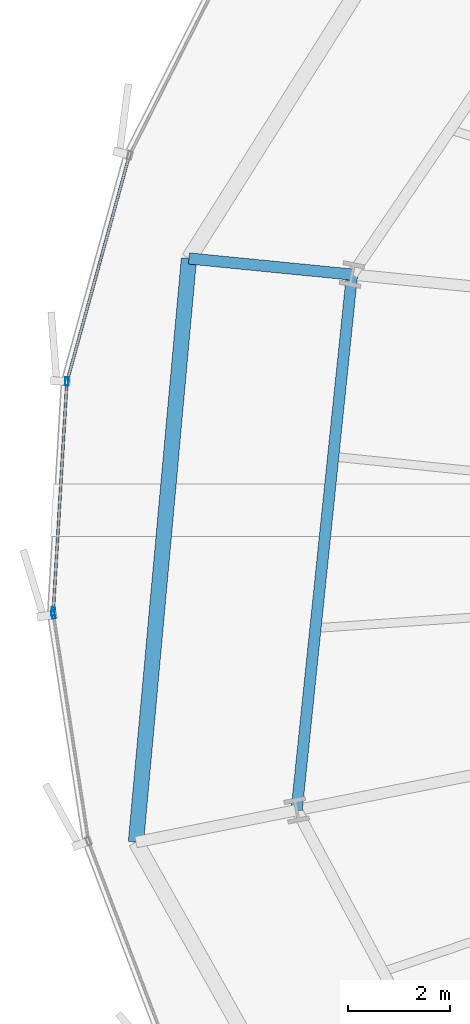
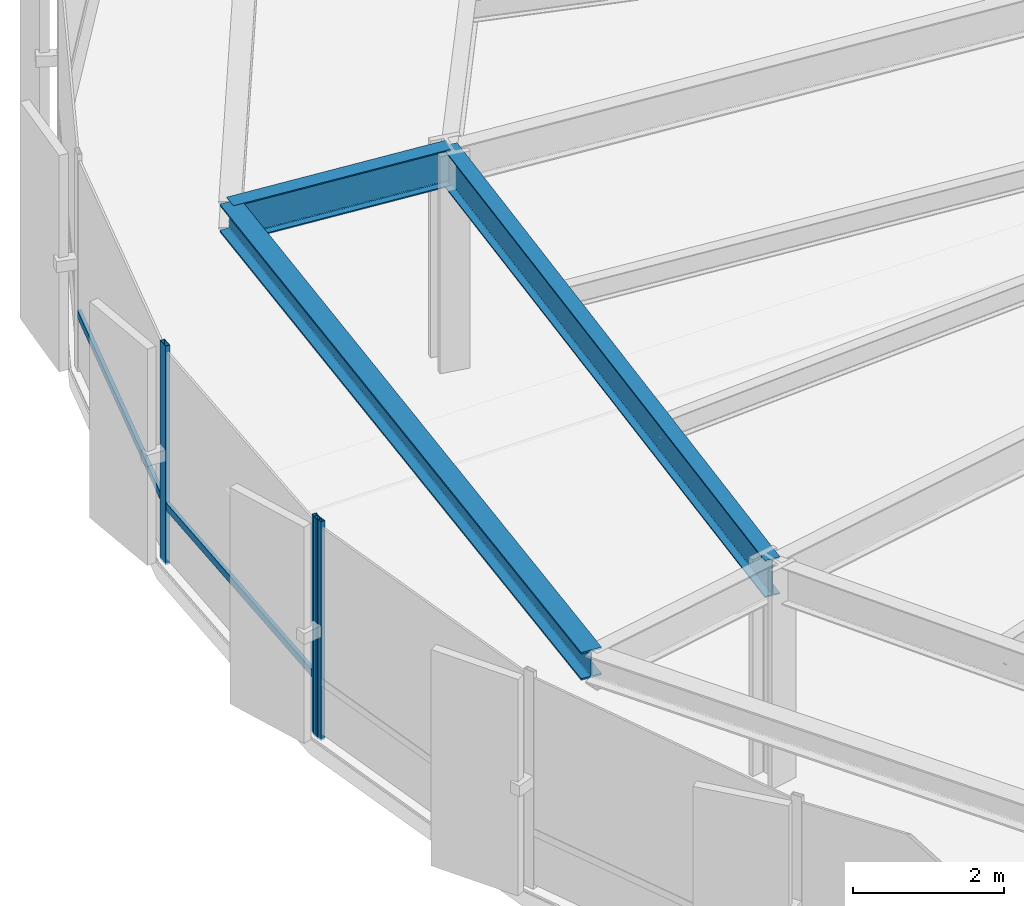
# One storey, part 9 of 39: 5 members, 3 beams, 2 elements without a shape of their own.
"""IFC4 building model written with IfcOpenShell, lengths in metres."""

import ifcopenshell
import ifcopenshell.guid

model = None  # the IFC model being written
_history = None  # IfcOwnerHistory: only IFC2X3 demands one
_inside = {}  # id of a spatial element -> (the spatial element, [elements in it])
_under = {}  # id of a project, library or spatial element -> (it, [spatial elements below it])
_declared = {}  # id of a project -> (the project, [libraries it declares])
_typed = {}  # id of a type object -> (the type object, [elements of that type])
_made_of = {}  # id of a material, layer set ... -> (it, [elements and type objects made of it])


def new_model(schema):
    """Start an empty IFC model of exactly this schema.

    Asked for "IFC4X3", IfcOpenShell would pick the latest addendum, in which some entities
    have other attributes; the version numbers below select the first issue.
    IFC2X3 requires an IfcOwnerHistory on every rooted entity: one is made here for all.
    """
    global model, _history
    if schema == "IFC4X3":
        model = ifcopenshell.file(schema_version=(4, 3, 0, 0))
    else:
        model = ifcopenshell.file(schema=schema)
    _inside.clear()
    _under.clear()
    _declared.clear()
    _typed.clear()
    _made_of.clear()
    _history = None
    if model.schema == "IFC2X3":
        org = make("IfcOrganization", Name="unknown")
        user = make(
            "IfcPersonAndOrganization",
            ThePerson=make("IfcPerson", FamilyName="unknown"),
            TheOrganization=org,
        )
        app = make(
            "IfcApplication",
            ApplicationDeveloper=org,
            Version="unknown",
            ApplicationFullName="unknown",
            ApplicationIdentifier="unknown",
        )
        _history = make(
            "IfcOwnerHistory",
            OwningUser=user,
            OwningApplication=app,
            ChangeAction="ADDED",
            CreationDate=0,
        )
    return model


def make(cls, **values):
    """One entity of the class cls with the attributes given. An attribute that is None is left unset."""
    return model.create_entity(
        cls, **{name: value for name, value in values.items() if value is not None}
    )


def rooted(cls, **values):
    """An entity with a GlobalId (a new one), such as an element, a storey or a relation."""
    return make(cls, GlobalId=ifcopenshell.guid.new(), OwnerHistory=_history, **values)


def si_unit(unit_type, name, prefix=None):
    """IfcSIUnit, for example si_unit("LENGTHUNIT", "METRE", prefix="MILLI")."""
    return make("IfcSIUnit", UnitType=unit_type, Prefix=prefix, Name=name)


def assignment(units):
    """IfcUnitAssignment: the units of a project."""
    return None if units is None else make("IfcUnitAssignment", Units=units)


def point(xyz):
    """IfcCartesianPoint."""
    return None if xyz is None else make("IfcCartesianPoint", Coordinates=xyz)


def direction(xyz):
    """IfcDirection."""
    return None if xyz is None else make("IfcDirection", DirectionRatios=xyz)


def frame(location, z_axis=None, x_axis=None):
    """IfcAxis2Placement3D, a coordinate frame: its origin and axes. An axis left out is left unset."""
    return make(
        "IfcAxis2Placement3D",
        Location=point(location),
        Axis=direction(z_axis),
        RefDirection=direction(x_axis),
    )


def frame_2d(location, x_axis=None):
    """IfcAxis2Placement2D, a coordinate frame in the plane: its origin and x axis."""
    return make(
        "IfcAxis2Placement2D", Location=point(location), RefDirection=direction(x_axis)
    )


def origin():
    """The frame at (0, 0, 0) with its axes left unset."""
    return frame((0.0, 0.0, 0.0))


def origin_2d():
    """The frame at (0, 0) in the plane with its x axis left unset."""
    return frame_2d((0.0, 0.0))


def place(relative_to, where):
    """IfcLocalPlacement: puts the frame where relative to a parent placement (None: the world)."""
    return make(
        "IfcLocalPlacement", PlacementRelTo=relative_to, RelativePlacement=where
    )


def context(
    kind, dimensions, precision=None, world=None, true_north=None, identifier=None
):
    """IfcGeometricRepresentationContext, for example the 3D "Model" context."""
    return make(
        "IfcGeometricRepresentationContext",
        ContextIdentifier=identifier,
        ContextType=kind,
        CoordinateSpaceDimension=dimensions,
        Precision=precision,
        WorldCoordinateSystem=world,
        TrueNorth=true_north,
    )


def subcontext(parent, identifier, kind, view, scale=None):
    """IfcGeometricRepresentationSubContext, for example "Body" below "Model"."""
    return make(
        "IfcGeometricRepresentationSubContext",
        ContextIdentifier=identifier,
        ContextType=kind,
        ParentContext=parent,
        TargetScale=scale,
        TargetView=view,
    )


def project(units=None, contexts=None):
    """IfcProject with its units and contexts."""
    return rooted(
        "IfcProject",
        Name="project",
        RepresentationContexts=contexts,
        UnitsInContext=assignment(units),
    )


def spatial(cls, under=None, at=None, **own):
    """A site, building, storey or space (cls), placed at a placement, below another one or the project."""
    s = rooted(cls, ObjectPlacement=at, **own)
    if under is not None:
        _under.setdefault(under.id(), (under, []))[1].append(s)
    return s


def profile(cls, at=None, kind="AREA", **sizes):
    """A parametric profile (cls). Its sizes go by their IFC names, for example OverallWidth=200.0."""
    return make(cls, ProfileType=kind, Position=at, **sizes)


def hollow_rectangle(**sizes):
    """IfcRectangleHollowProfileDef."""
    return profile("IfcRectangleHollowProfileDef", **sizes)


def i_section(**sizes):
    """IfcIShapeProfileDef."""
    return profile("IfcIShapeProfileDef", **sizes)


def extrude(swept, where, along, depth):
    """IfcExtrudedAreaSolid: the profile swept, set in the frame where, extruded along a direction by depth."""
    return make(
        "IfcExtrudedAreaSolid",
        SweptArea=swept,
        Position=where,
        ExtrudedDirection=direction(along),
        Depth=depth,
    )


def shape(context_of_items, identifier, shape_type, items):
    """IfcShapeRepresentation: the items that make up one representation, for example the "Body"."""
    return make(
        "IfcShapeRepresentation",
        ContextOfItems=context_of_items,
        RepresentationIdentifier=identifier,
        RepresentationType=shape_type,
        Items=items,
    )


def source(mapping_origin, context_of_items, identifier, shape_type, items):
    """IfcRepresentationMap: a shape defined once, which mapped items show again and again."""
    return make(
        "IfcRepresentationMap",
        MappingOrigin=mapping_origin,
        MappedRepresentation=shape(context_of_items, identifier, shape_type, items),
    )


def transform(
    local_origin,
    x_axis=None,
    y_axis=None,
    z_axis=None,
    scale=None,
    scale2=None,
    scale3=None,
    uniform=True,
):
    """IfcCartesianTransformationOperator3D, or its non-uniform kind. x_axis, y_axis, z_axis: its Axis1, 2, 3."""
    if uniform:
        return make(
            "IfcCartesianTransformationOperator3D",
            Axis1=direction(x_axis),
            Axis2=direction(y_axis),
            LocalOrigin=point(local_origin),
            Scale=scale,
            Axis3=direction(z_axis),
        )
    return make(
        "IfcCartesianTransformationOperator3DnonUniform",
        Axis1=direction(x_axis),
        Axis2=direction(y_axis),
        LocalOrigin=point(local_origin),
        Scale=scale,
        Axis3=direction(z_axis),
        Scale2=scale2,
        Scale3=scale3,
    )


def mapped(mapping_source, mapping_target):
    """IfcMappedItem: shows the shape of a source again, moved by a transform."""
    return make(
        "IfcMappedItem", MappingSource=mapping_source, MappingTarget=mapping_target
    )


def material(Name=None, Category=None):
    """IfcMaterial."""
    return make("IfcMaterial", Name=Name, Category=Category)


def layer(
    of_material, thickness, ventilated=None, Name=None, Category=None, Priority=None
):
    """IfcMaterialLayer: one layer of a wall or slab, of a material (None: an air gap)."""
    return make(
        "IfcMaterialLayer",
        Material=of_material,
        LayerThickness=thickness,
        IsVentilated=ventilated,
        Name=Name,
        Category=Category,
        Priority=Priority,
    )


def layer_set(layers, Name=None):
    """IfcMaterialLayerSet."""
    return make("IfcMaterialLayerSet", MaterialLayers=layers, LayerSetName=Name)


def material_profile(
    of_material, cross_section, Name=None, Category=None, Priority=None
):
    """IfcMaterialProfile: a cross section and its material."""
    return make(
        "IfcMaterialProfile",
        Name=Name,
        Material=of_material,
        Profile=cross_section,
        Priority=Priority,
        Category=Category,
    )


def profile_set(profiles, Name=None, composite=None):
    """IfcMaterialProfileSet."""
    return make(
        "IfcMaterialProfileSet",
        Name=Name,
        MaterialProfiles=profiles,
        CompositeProfile=composite,
    )


def made_of(thing, what):
    """Note that an element or type object is made of a material, layer set ...; save() writes the relation."""
    if what is not None:
        _made_of.setdefault(what.id(), (what, []))[1].append(thing)
    return thing


def type_object(cls, material=None, **own):
    """A type object (cls), such as IfcWallType, which elements share."""
    return made_of(rooted(cls, **own), material)


def element(
    cls,
    number,
    at=None,
    inside=None,
    cuts=None,
    type_object=None,
    material=None,
    context=None,
    identifier="Body",
    shape_type=None,
    held_by="IfcProductDefinitionShape",
    body=None,
    shapes=None,
    **own,
):
    """One element of the class cls, such as IfcWall. Its Tag is "e" and its number.

    at: its placement. inside: the storey or other place that contains it. cuts: it is an
    opening in that element (IfcRelVoidsElement). A single representation is given by context,
    identifier, shape_type and body (its items); several are given by shapes. held_by: the class
    of the entity that holds the representations. save() writes the other relations.
    """
    e = rooted(cls, Tag="e%d" % number, ObjectPlacement=at, **own)
    if body is not None:
        shapes = [shape(context, identifier, shape_type, body)]
    if shapes is not None:
        e.Representation = make(held_by, Representations=shapes)
    if inside is not None:
        _inside.setdefault(inside.id(), (inside, []))[1].append(e)
    if cuts is not None:
        rooted(
            "IfcRelVoidsElement", RelatingBuildingElement=cuts, RelatedOpeningElement=e
        )
    if type_object is not None:
        _typed.setdefault(type_object.id(), (type_object, []))[1].append(e)
    return made_of(e, material)


def aggregate(whole, parts):
    """IfcRelAggregates: a whole, such as a stair, and the parts it consists of."""
    return rooted("IfcRelAggregates", RelatingObject=whole, RelatedObjects=parts)


def save(model, path):
    """Write the relations noted so far, then the file.

    IfcRelAggregates (storeys below a building ...), IfcRelContainedInSpatialStructure (elements
    in a storey), IfcRelDefinesByType, IfcRelAssociatesMaterial and IfcRelDeclares: one each for
    every whole, place, type object, material and project.
    """
    for whole, parts in _under.values():
        aggregate(whole, parts)
    for where, things in _inside.values():
        rooted(
            "IfcRelContainedInSpatialStructure",
            RelatedElements=things,
            RelatingStructure=where,
        )
    for kind, things in _typed.values():
        rooted("IfcRelDefinesByType", RelatedObjects=things, RelatingType=kind)
    for what, things in _made_of.values():
        rooted("IfcRelAssociatesMaterial", RelatedObjects=things, RelatingMaterial=what)
    for by, libraries in _declared.values():
        rooted("IfcRelDeclares", RelatingContext=by, RelatedDefinitions=libraries)
    model.write(path)


model = new_model("IFC4")

# Units and contexts
model_context = context("Model", 3, precision=1e-05, world=origin(), true_north=direction((0.0, 1.0)))
body_context = subcontext(model_context, "Body", "Model", "MODEL_VIEW")
ifc_project = project(units=[si_unit("LENGTHUNIT", "METRE"), si_unit("AREAUNIT", "SQUARE_METRE"), si_unit("VOLUMEUNIT", "CUBIC_METRE"), si_unit("PLANEANGLEUNIT", "RADIAN"), si_unit("MASSUNIT", "GRAM", prefix="KILO"), si_unit("THERMODYNAMICTEMPERATUREUNIT", "KELVIN")], contexts=[model_context])

# Site, building, storey
site_placement = place(None, origin())
site = spatial("IfcSite", under=ifc_project, at=site_placement, CompositionType="ELEMENT")
building_placement = place(site_placement, origin())
building = spatial("IfcBuilding", under=site, at=building_placement, Name="Kethvar Cultural Tower", CompositionType="ELEMENT")
storey_placement = place(building_placement, frame((0.0, 0.0, 41.0)))
storey = spatial("IfcBuildingStorey", under=building, at=storey_placement, Name="L09", CompositionType="ELEMENT", Elevation=41.0)

# Beams
ifc_material_1 = material(Name="Steel S355J2", Category="steel")
ifc_material_profile_1 = material_profile(ifc_material_1, i_section(OverallWidth=0.219970703125, OverallDepth=0.60009765625, WebThickness=0.011962890625, FlangeThickness=0.01904296875, FilletRadius=0.02392578125, at=origin_2d()), Name="Steel S355J2 — IPE600")
ifc_profile_set_1 = profile_set([ifc_material_profile_1], Name="Steel S355J2 — IPE600")
beam_type_1 = type_object("IfcBeamType", Name="BM-IPE600", PredefinedType="BEAM", material=ifc_profile_set_1)
shared_shape_1 = source(origin(), body_context, "Body", "SweptSolid", [
    extrude(i_section(OverallWidth=0.219970703125, OverallDepth=0.60009765625, WebThickness=0.011962890625, FlangeThickness=0.01904296875, FilletRadius=0.02392578125, at=origin_2d()), origin(), (0.0, 0.0, 1.0), 3.199951171875),
])
beam_1_placement = place(storey_placement, frame((21.047119140625, 32.922607421875, 3.248046875), z_axis=(-0.995167757846, 0.098189275096, 0.0), x_axis=(-0.098189275096, -0.995167757846, 0.0)))
element("IfcBeam", 1, at=beam_1_placement, inside=storey, type_object=beam_type_1, Name="L09 Perimeter Cantilever Beam RC-08", PredefinedType="BEAM", context=body_context, shape_type="MappedRepresentation", body=[
    mapped(shared_shape_1, transform((0.0, 0.0, 0.0), scale=1.0)),
])
shared_shape_2 = source(origin(), body_context, "Body", "SweptSolid", [
    extrude(i_section(OverallWidth=0.219970703125, OverallDepth=0.60009765625, WebThickness=0.011962890625, FlangeThickness=0.01904296875, FilletRadius=0.02392578125, at=origin_2d()), origin(), (0.0, 0.0, 1.0), 10.515869140625),
])
beam_2_placement = place(storey_placement, frame((21.047119140625, 32.922607421875, 3.248046875), z_axis=(-0.102824694973, -0.994699493367, 0.0), x_axis=(0.994699493367, -0.102824694973, 0.0)))
element("IfcBeam", 2, at=beam_2_placement, inside=storey, type_object=beam_type_1, Name="L09 Column Ring Tie Beam CR-08", PredefinedType="BEAM", context=body_context, shape_type="MappedRepresentation", body=[
    mapped(shared_shape_2, transform((0.0, 0.0, 0.0), scale=1.0)),
])
ifc_material_profile_2 = material_profile(ifc_material_1, i_section(OverallWidth=0.300048828125, OverallDepth=0.449951171875, WebThickness=0.013916015625, FlangeThickness=0.02587890625, FilletRadius=0.027099609375, at=origin_2d()), Name="Steel S355J2 — HEB450")
ifc_profile_set_2 = profile_set([ifc_material_profile_2], Name="Steel S355J2 — HEB450")
beam_type_2 = type_object("IfcBeamType", Name="BM-SP450", PredefinedType="SPANDREL", material=ifc_profile_set_2)
shared_shape_3 = source(origin(), body_context, "Body", "SweptSolid", [
    extrude(i_section(OverallWidth=0.300048828125, OverallDepth=0.449951171875, WebThickness=0.013916015625, FlangeThickness=0.02587890625, FilletRadius=0.027099609375, at=origin_2d()), origin(), (0.0, 0.0, 1.0), 11.445556640625),
])
beam_3_placement = place(storey_placement, frame((17.862548828125, 33.23681640625, 3.322998046875), z_axis=(-0.090441506594, -0.995901769195, 0.0), x_axis=(0.995901769195, -0.090441506594, 0.0)))
element("IfcBeam", 3, at=beam_3_placement, inside=storey, type_object=beam_type_2, Name="L09 Perimeter Spandrel Beam SP-08", PredefinedType="SPANDREL", context=body_context, shape_type="MappedRepresentation", body=[
    mapped(shared_shape_3, transform((0.0, 0.0, 0.0), scale=1.0)),
])

# Curtain wall, members
ifc_material_2 = material(Name="Aluminium 6063-T6", Category="aluminium")
ifc_layer = layer(ifc_material_2, 0.179931640625, Name="Aluminium 6063-T6", Category="aluminium")
ifc_layer_set = layer_set([ifc_layer], Name="Aluminium 6063-T6 (180 mm)")
curtain_wall_type = type_object("IfcCurtainWallType", Name="CW-SYS-02-Z1", PredefinedType="NOTDEFINED", material=ifc_layer_set)
curtain_wall_1_placement = place(storey_placement, origin())
curtain_wall_1 = element("IfcCurtainWall", 4, at=curtain_wall_1_placement, inside=storey, type_object=curtain_wall_type, Name="L09 Curtain Wall Run 03", PredefinedType="NOTDEFINED")
ifc_material_profile_3 = material_profile(ifc_material_2, hollow_rectangle(XDim=0.06494140625, YDim=0.159912109375, WallThickness=0.0048828125, at=origin_2d()), Name="Aluminium 6063-T6 — RHS160x65x5")
ifc_profile_set_3 = profile_set([ifc_material_profile_3], Name="Aluminium 6063-T6 — RHS160x65x5")
member_type_1 = type_object("IfcMemberType", Name="CW-SYS-02-Z1-MUL", PredefinedType="MULLION", material=ifc_profile_set_3)
shared_shape_4 = source(origin(), body_context, "Body", "SweptSolid", [
    extrude(hollow_rectangle(XDim=0.06494140625, YDim=0.159912109375, WallThickness=0.0048828125, at=origin_2d()), origin(), (0.0, 0.0, 1.0), 3.550048828125),
])
member_1_placement = place(storey_placement, frame((15.47900390625, 30.834228515625, 0.0), z_axis=(0.0, 0.0, 1.0), x_axis=(0.998248098925, -0.059166992425, 0.0)))
member_1 = element("IfcMember", 5, at=member_1_placement, type_object=member_type_1, Name="CW-L09-R03 Mullion 6", PredefinedType="MULLION", context=body_context, shape_type="MappedRepresentation", body=[
    mapped(shared_shape_4, transform((0.0, 0.0, 0.0), scale=1.0)),
])
member_2_placement = place(storey_placement, frame((15.212646484375, 26.339599609375, 0.0), z_axis=(0.0, 0.0, 1.0), x_axis=(0.998248098925, -0.059166992425, 0.0)))
member_2 = element("IfcMember", 6, at=member_2_placement, type_object=member_type_1, Name="CW-L09-R03 Mullion 7", PredefinedType="MULLION", context=body_context, shape_type="MappedRepresentation", body=[
    mapped(shared_shape_4, transform((0.0, 0.0, 0.0), scale=1.0)),
])

# Curtain wall, member
curtain_wall_2_placement = place(storey_placement, origin())
curtain_wall_2 = element("IfcCurtainWall", 7, at=curtain_wall_2_placement, inside=storey, type_object=curtain_wall_type, Name="L09 Curtain Wall Run 04", PredefinedType="NOTDEFINED")
member_3_placement = place(storey_placement, frame((15.21533203125, 26.28125, 0.0), z_axis=(0.0, 0.0, 1.0), x_axis=(0.988249732666, 0.152847852081, 0.0)))
member_3 = element("IfcMember", 8, at=member_3_placement, type_object=member_type_1, Name="CW-L09-R04 Mullion 1", PredefinedType="MULLION", context=body_context, shape_type="MappedRepresentation", body=[
    mapped(shared_shape_4, transform((0.0, 0.0, 0.0), scale=1.0)),
])
aggregate(curtain_wall_2, [member_3])

# Member
ifc_material_profile_4 = material_profile(ifc_material_2, hollow_rectangle(XDim=0.054931640625, YDim=0.1201171875, WallThickness=0.00390625, at=origin_2d()), Name="Aluminium 6063-T6 — RHS120x55x4")
ifc_profile_set_4 = profile_set([ifc_material_profile_4], Name="Aluminium 6063-T6 — RHS120x55x4")
member_type_2 = type_object("IfcMemberType", Name="CW-SYS-02-Z1-TRN", PredefinedType="USERDEFINED", material=ifc_profile_set_4)
shared_shape_5 = source(origin(), body_context, "Body", "SweptSolid", [
    extrude(hollow_rectangle(XDim=0.054931640625, YDim=0.1201171875, WallThickness=0.00390625, at=origin_2d()), origin(), (0.0, 0.0, 1.0), 4.51611328125),
])
member_4_placement = place(storey_placement, frame((16.686767578125, 35.20849609375, 0.949951171875), z_axis=(-0.265591188579, -0.964085743359, 0.0), x_axis=(0.964085743359, -0.265591188579, 0.0)))
member_4 = element("IfcMember", 9, at=member_4_placement, type_object=member_type_2, Name="CW-L09-R03 Transom 5", ObjectType="TRANSOM", PredefinedType="USERDEFINED", context=body_context, shape_type="MappedRepresentation", body=[
    mapped(shared_shape_5, transform((0.0, 0.0, 0.0), scale=1.0)),
])

shared_shape_6 = source(origin(), body_context, "Body", "SweptSolid", [
    extrude(hollow_rectangle(XDim=0.054931640625, YDim=0.1201171875, WallThickness=0.00390625, at=origin_2d()), origin(), (0.0, 0.0, 1.0), 4.451171875),
])
member_5_placement = place(storey_placement, frame((15.476318359375, 30.78759765625, 0.949951171875), z_axis=(-0.059181799542, -0.998247221185, 0.0), x_axis=(0.998247221185, -0.059181799542, 0.0)))
member_5 = element("IfcMember", 10, at=member_5_placement, type_object=member_type_2, Name="CW-L09-R03 Transom 6", ObjectType="TRANSOM", PredefinedType="USERDEFINED", context=body_context, shape_type="MappedRepresentation", body=[
    mapped(shared_shape_6, transform((0.0, 0.0, 0.0), scale=1.0)),
])

aggregate(curtain_wall_1, [member_1, member_2, member_4, member_5])

save(model, "model.ifc")
